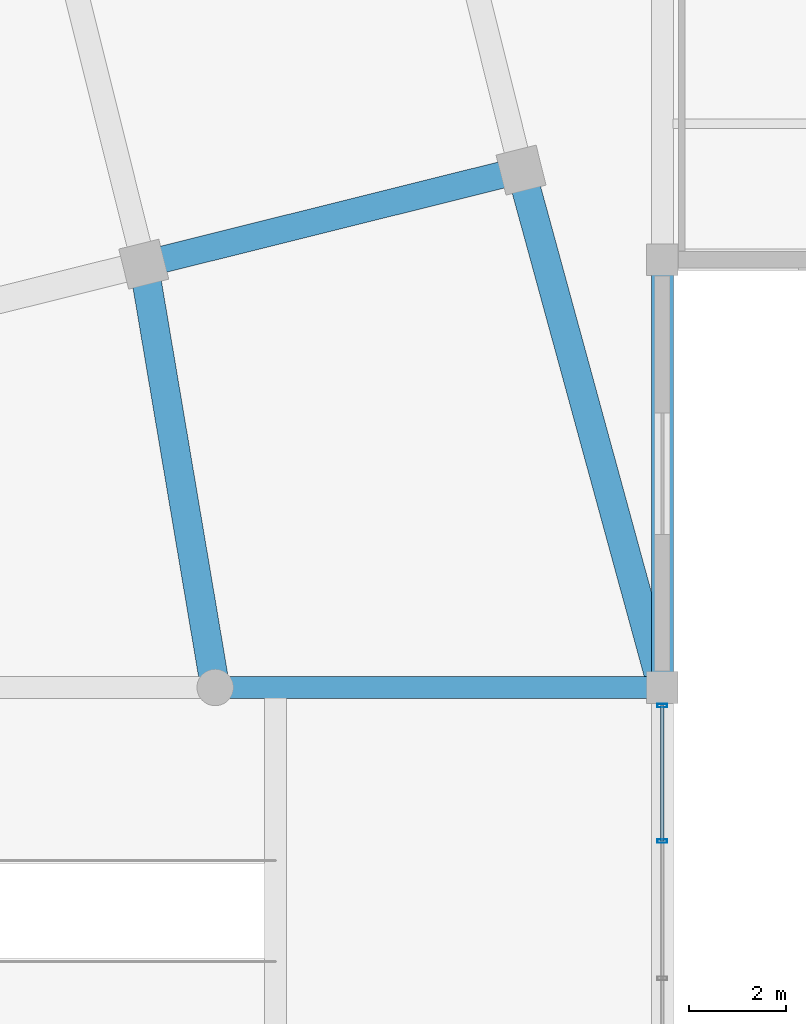
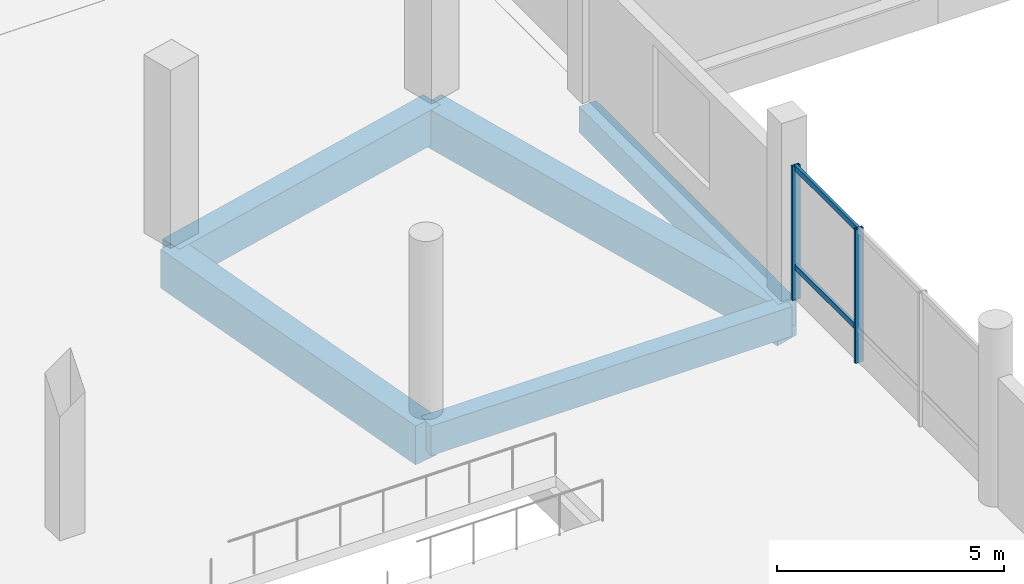
# One storey, part 23 of 71: 5 beams, 4 members, 1 element without a shape of its own.
"""IFC4 building model written with IfcOpenShell, lengths in metres."""

import ifcopenshell
import ifcopenshell.guid

model = None  # the IFC model being written
_history = None  # IfcOwnerHistory: only IFC2X3 demands one
_inside = {}  # id of a spatial element -> (the spatial element, [elements in it])
_under = {}  # id of a project, library or spatial element -> (it, [spatial elements below it])
_declared = {}  # id of a project -> (the project, [libraries it declares])
_typed = {}  # id of a type object -> (the type object, [elements of that type])
_made_of = {}  # id of a material, layer set ... -> (it, [elements and type objects made of it])


def new_model(schema):
    """Start an empty IFC model of exactly this schema.

    Asked for "IFC4X3", IfcOpenShell would pick the latest addendum, in which some entities
    have other attributes; the version numbers below select the first issue.
    IFC2X3 requires an IfcOwnerHistory on every rooted entity: one is made here for all.
    """
    global model, _history
    if schema == "IFC4X3":
        model = ifcopenshell.file(schema_version=(4, 3, 0, 0))
    else:
        model = ifcopenshell.file(schema=schema)
    _inside.clear()
    _under.clear()
    _declared.clear()
    _typed.clear()
    _made_of.clear()
    _history = None
    if model.schema == "IFC2X3":
        org = make("IfcOrganization", Name="unknown")
        user = make(
            "IfcPersonAndOrganization",
            ThePerson=make("IfcPerson", FamilyName="unknown"),
            TheOrganization=org,
        )
        app = make(
            "IfcApplication",
            ApplicationDeveloper=org,
            Version="unknown",
            ApplicationFullName="unknown",
            ApplicationIdentifier="unknown",
        )
        _history = make(
            "IfcOwnerHistory",
            OwningUser=user,
            OwningApplication=app,
            ChangeAction="ADDED",
            CreationDate=0,
        )
    return model


def make(cls, **values):
    """One entity of the class cls with the attributes given. An attribute that is None is left unset."""
    return model.create_entity(
        cls, **{name: value for name, value in values.items() if value is not None}
    )


def rooted(cls, **values):
    """An entity with a GlobalId (a new one), such as an element, a storey or a relation."""
    return make(cls, GlobalId=ifcopenshell.guid.new(), OwnerHistory=_history, **values)


def si_unit(unit_type, name, prefix=None):
    """IfcSIUnit, for example si_unit("LENGTHUNIT", "METRE", prefix="MILLI")."""
    return make("IfcSIUnit", UnitType=unit_type, Prefix=prefix, Name=name)


def assignment(units):
    """IfcUnitAssignment: the units of a project."""
    return None if units is None else make("IfcUnitAssignment", Units=units)


def point(xyz):
    """IfcCartesianPoint."""
    return None if xyz is None else make("IfcCartesianPoint", Coordinates=xyz)


def direction(xyz):
    """IfcDirection."""
    return None if xyz is None else make("IfcDirection", DirectionRatios=xyz)


def frame(location, z_axis=None, x_axis=None):
    """IfcAxis2Placement3D, a coordinate frame: its origin and axes. An axis left out is left unset."""
    return make(
        "IfcAxis2Placement3D",
        Location=point(location),
        Axis=direction(z_axis),
        RefDirection=direction(x_axis),
    )


def frame_2d(location, x_axis=None):
    """IfcAxis2Placement2D, a coordinate frame in the plane: its origin and x axis."""
    return make(
        "IfcAxis2Placement2D", Location=point(location), RefDirection=direction(x_axis)
    )


def origin():
    """The frame at (0, 0, 0) with its axes left unset."""
    return frame((0.0, 0.0, 0.0))


def origin_2d():
    """The frame at (0, 0) in the plane with its x axis left unset."""
    return frame_2d((0.0, 0.0))


def place(relative_to, where):
    """IfcLocalPlacement: puts the frame where relative to a parent placement (None: the world)."""
    return make(
        "IfcLocalPlacement", PlacementRelTo=relative_to, RelativePlacement=where
    )


def context(
    kind, dimensions, precision=None, world=None, true_north=None, identifier=None
):
    """IfcGeometricRepresentationContext, for example the 3D "Model" context."""
    return make(
        "IfcGeometricRepresentationContext",
        ContextIdentifier=identifier,
        ContextType=kind,
        CoordinateSpaceDimension=dimensions,
        Precision=precision,
        WorldCoordinateSystem=world,
        TrueNorth=true_north,
    )


def subcontext(parent, identifier, kind, view, scale=None):
    """IfcGeometricRepresentationSubContext, for example "Body" below "Model"."""
    return make(
        "IfcGeometricRepresentationSubContext",
        ContextIdentifier=identifier,
        ContextType=kind,
        ParentContext=parent,
        TargetScale=scale,
        TargetView=view,
    )


def project(units=None, contexts=None):
    """IfcProject with its units and contexts."""
    return rooted(
        "IfcProject",
        Name="project",
        RepresentationContexts=contexts,
        UnitsInContext=assignment(units),
    )


def spatial(cls, under=None, at=None, **own):
    """A site, building, storey or space (cls), placed at a placement, below another one or the project."""
    s = rooted(cls, ObjectPlacement=at, **own)
    if under is not None:
        _under.setdefault(under.id(), (under, []))[1].append(s)
    return s


def profile(cls, at=None, kind="AREA", **sizes):
    """A parametric profile (cls). Its sizes go by their IFC names, for example OverallWidth=200.0."""
    return make(cls, ProfileType=kind, Position=at, **sizes)


def rectangle(**sizes):
    """IfcRectangleProfileDef."""
    return profile("IfcRectangleProfileDef", **sizes)


def hollow_rectangle(**sizes):
    """IfcRectangleHollowProfileDef."""
    return profile("IfcRectangleHollowProfileDef", **sizes)


def extrude(swept, where, along, depth):
    """IfcExtrudedAreaSolid: the profile swept, set in the frame where, extruded along a direction by depth."""
    return make(
        "IfcExtrudedAreaSolid",
        SweptArea=swept,
        Position=where,
        ExtrudedDirection=direction(along),
        Depth=depth,
    )


def shape(context_of_items, identifier, shape_type, items):
    """IfcShapeRepresentation: the items that make up one representation, for example the "Body"."""
    return make(
        "IfcShapeRepresentation",
        ContextOfItems=context_of_items,
        RepresentationIdentifier=identifier,
        RepresentationType=shape_type,
        Items=items,
    )


def material(Name=None, Category=None):
    """IfcMaterial."""
    return make("IfcMaterial", Name=Name, Category=Category)


def layer(
    of_material, thickness, ventilated=None, Name=None, Category=None, Priority=None
):
    """IfcMaterialLayer: one layer of a wall or slab, of a material (None: an air gap)."""
    return make(
        "IfcMaterialLayer",
        Material=of_material,
        LayerThickness=thickness,
        IsVentilated=ventilated,
        Name=Name,
        Category=Category,
        Priority=Priority,
    )


def layer_set(layers, Name=None):
    """IfcMaterialLayerSet."""
    return make("IfcMaterialLayerSet", MaterialLayers=layers, LayerSetName=Name)


def material_profile(
    of_material, cross_section, Name=None, Category=None, Priority=None
):
    """IfcMaterialProfile: a cross section and its material."""
    return make(
        "IfcMaterialProfile",
        Name=Name,
        Material=of_material,
        Profile=cross_section,
        Priority=Priority,
        Category=Category,
    )


def profile_set(profiles, Name=None, composite=None):
    """IfcMaterialProfileSet."""
    return make(
        "IfcMaterialProfileSet",
        Name=Name,
        MaterialProfiles=profiles,
        CompositeProfile=composite,
    )


def made_of(thing, what):
    """Note that an element or type object is made of a material, layer set ...; save() writes the relation."""
    if what is not None:
        _made_of.setdefault(what.id(), (what, []))[1].append(thing)
    return thing


def type_object(cls, material=None, **own):
    """A type object (cls), such as IfcWallType, which elements share."""
    return made_of(rooted(cls, **own), material)


def element(
    cls,
    number,
    at=None,
    inside=None,
    cuts=None,
    type_object=None,
    material=None,
    context=None,
    identifier="Body",
    shape_type=None,
    held_by="IfcProductDefinitionShape",
    body=None,
    shapes=None,
    **own,
):
    """One element of the class cls, such as IfcWall. Its Tag is "e" and its number.

    at: its placement. inside: the storey or other place that contains it. cuts: it is an
    opening in that element (IfcRelVoidsElement). A single representation is given by context,
    identifier, shape_type and body (its items); several are given by shapes. held_by: the class
    of the entity that holds the representations. save() writes the other relations.
    """
    e = rooted(cls, Tag="e%d" % number, ObjectPlacement=at, **own)
    if body is not None:
        shapes = [shape(context, identifier, shape_type, body)]
    if shapes is not None:
        e.Representation = make(held_by, Representations=shapes)
    if inside is not None:
        _inside.setdefault(inside.id(), (inside, []))[1].append(e)
    if cuts is not None:
        rooted(
            "IfcRelVoidsElement", RelatingBuildingElement=cuts, RelatedOpeningElement=e
        )
    if type_object is not None:
        _typed.setdefault(type_object.id(), (type_object, []))[1].append(e)
    return made_of(e, material)


def aggregate(whole, parts):
    """IfcRelAggregates: a whole, such as a stair, and the parts it consists of."""
    return rooted("IfcRelAggregates", RelatingObject=whole, RelatedObjects=parts)


def save(model, path):
    """Write the relations noted so far, then the file.

    IfcRelAggregates (storeys below a building ...), IfcRelContainedInSpatialStructure (elements
    in a storey), IfcRelDefinesByType, IfcRelAssociatesMaterial and IfcRelDeclares: one each for
    every whole, place, type object, material and project.
    """
    for whole, parts in _under.values():
        aggregate(whole, parts)
    for where, things in _inside.values():
        rooted(
            "IfcRelContainedInSpatialStructure",
            RelatedElements=things,
            RelatingStructure=where,
        )
    for kind, things in _typed.values():
        rooted("IfcRelDefinesByType", RelatedObjects=things, RelatingType=kind)
    for what, things in _made_of.values():
        rooted("IfcRelAssociatesMaterial", RelatedObjects=things, RelatingMaterial=what)
    for by, libraries in _declared.values():
        rooted("IfcRelDeclares", RelatingContext=by, RelatedDefinitions=libraries)
    model.write(path)


model = new_model("IFC4")

# Units and contexts
model_context = context("Model", 3, precision=1e-05, world=origin(), true_north=direction((0.0, 1.0)))
body_context = subcontext(model_context, "Body", "Model", "MODEL_VIEW")
ifc_project = project(units=[si_unit("LENGTHUNIT", "METRE"), si_unit("AREAUNIT", "SQUARE_METRE"), si_unit("VOLUMEUNIT", "CUBIC_METRE"), si_unit("PLANEANGLEUNIT", "RADIAN"), si_unit("MASSUNIT", "GRAM", prefix="KILO")], contexts=[model_context])

# Site, building, storey
site_placement = place(None, origin())
site = spatial("IfcSite", under=ifc_project, at=site_placement, CompositionType="ELEMENT")
building_placement = place(site_placement, origin())
building = spatial("IfcBuilding", under=site, at=building_placement, Name="Meriwether Solvik Hall", CompositionType="ELEMENT")
storey_placement = place(building_placement, frame((0.0, 0.0, 5.10009765625)))
storey = spatial("IfcBuildingStorey", under=building, at=storey_placement, Name="L01", CompositionType="ELEMENT", Elevation=5.10009765625)

# Beams
ifc_material_1 = material(Name="Concrete C40/50", Category="concrete")
ifc_material_profile_1 = material_profile(ifc_material_1, rectangle(XDim=0.449951171875, YDim=0.699951171875, at=origin_2d()), Name="RCB-450X700")
ifc_profile_set_1 = profile_set([ifc_material_profile_1], Name="Concrete C40/50")
beam_type_1 = type_object("IfcBeamType", Name="BM-RC-450X700", PredefinedType="BEAM", material=ifc_profile_set_1)
beam_1_placement = place(storey_placement, frame((114.199951171875, 41.199951171875, -0.650146484375), z_axis=(0.0, 1.0, 0.0), x_axis=(-1.0, 0.0, 0.0)))
element("IfcBeam", 1, at=beam_1_placement, inside=storey, type_object=beam_type_1, Name="Podium Girder 13:E-F (L01)", PredefinedType="BEAM", context=body_context, shape_type="SweptSolid", body=[
    extrude(rectangle(XDim=0.449951171875, YDim=0.699951171875, at=origin_2d()), origin(), (0.0, 0.0, 1.0), 8.800048828125),
])
ifc_material_2 = material(Name="Concrete C40/50", Category="concrete")
ifc_material_profile_2 = material_profile(ifc_material_2, rectangle(XDim=0.449951171875, YDim=0.800048828125, at=origin_2d()), Name="RCB-450X800")
ifc_profile_set_2 = profile_set([ifc_material_profile_2], Name="Concrete C40/50")
beam_type_2 = type_object("IfcBeamType", Name="BM-RC-450X800", PredefinedType="BEAM", material=ifc_profile_set_2)
beam_2_placement = place(storey_placement, frame((105.0, 41.199951171875, -0.7001953125), z_axis=(1.0, 0.0, 0.0), x_axis=(0.0, 1.0, 0.0)))
element("IfcBeam", 2, at=beam_2_placement, inside=storey, type_object=beam_type_2, Name="Podium Girder E:12-13 (L01)", PredefinedType="BEAM", context=body_context, shape_type="SweptSolid", body=[
    extrude(rectangle(XDim=0.449951171875, YDim=0.800048828125, at=origin_2d()), origin(), (0.0, 0.0, 1.0), 9.199951171875),
])
ifc_material_3 = material(Name="Concrete C40/50", Category="concrete")
ifc_material_profile_3 = material_profile(ifc_material_3, rectangle(XDim=0.550048828125, YDim=0.949951171875, at=origin_2d()), Name="RCB-550X950")
ifc_profile_set_3 = profile_set([ifc_material_profile_3], Name="Concrete C40/50")
beam_type_3 = type_object("IfcBeamType", Name="BM-RC-550X950", PredefinedType="BEAM", material=ifc_profile_set_3)
beam_3_placement = place(storey_placement, frame((103.53076171875, 49.9091796875, -0.775146484375), z_axis=(0.970296689949, 0.241918030485, 0.0), x_axis=(-0.241918030485, 0.970296689949, 0.0)))
element("IfcBeam", 3, at=beam_3_placement, inside=storey, type_object=beam_type_3, Name="Tower Girder TA:T6-T7 (L01)", PredefinedType="BEAM", context=body_context, shape_type="SweptSolid", body=[
    extrude(rectangle(XDim=0.550048828125, YDim=0.949951171875, at=origin_2d()), origin(), (0.0, 0.0, 1.0), 7.999755859375),
])
ifc_material_4 = material(Name="Concrete C40/50", Category="concrete")
ifc_material_profile_4 = material_profile(ifc_material_4, rectangle(XDim=0.60009765625, YDim=1.050048828125, at=origin_2d()), Name="RCB-600X1050")
ifc_profile_set_4 = profile_set([ifc_material_profile_4], Name="Concrete C40/50")
beam_type_4 = type_object("IfcBeamType", Name="BM-RC-600X1050", PredefinedType="BEAM", material=ifc_profile_set_4)
beam_4_placement = place(storey_placement, frame((103.53076171875, 49.9091796875, -0.8251953125), z_axis=(0.166348535765, -0.986067018335, 0.0), x_axis=(0.986067018335, 0.166348535765, 0.0)))
element("IfcBeam", 4, at=beam_4_placement, inside=storey, type_object=beam_type_4, Name="Diaphragm Collector Girder T6/TA-12/E (L01)", PredefinedType="BEAM", context=body_context, shape_type="SweptSolid", body=[
    extrude(rectangle(XDim=0.60009765625, YDim=1.050048828125, at=origin_2d()), origin(), (0.0, 0.0, 1.0), 8.832275390625),
])
beam_5_placement = place(storey_placement, frame((111.29296875, 51.844482421875, -0.8251953125), z_axis=(0.263448762729, -0.964673390022, 0.0), x_axis=(0.964673390022, 0.263448762729, 0.0)))
element("IfcBeam", 5, at=beam_5_placement, inside=storey, type_object=beam_type_4, Name="Diaphragm Collector Girder T7/TA-13/E (L01)", PredefinedType="BEAM", context=body_context, shape_type="SweptSolid", body=[
    extrude(rectangle(XDim=0.60009765625, YDim=1.050048828125, at=origin_2d()), origin(), (0.0, 0.0, 1.0), 11.034423828125),
])

# Curtain wall, members
ifc_material_5 = material(Name="Thermally Broken Anodised Aluminium 6063-T6 and Low-E Glass", Category="aluminium")
ifc_layer = layer(ifc_material_5, 0.179931640625)
ifc_layer_set = layer_set([ifc_layer], Name="Thermally Broken Anodised Aluminium 6063-T6 and Low-E Glass")
curtain_wall_type = type_object("IfcCurtainWallType", Name="CW-SF-POD-B", PredefinedType="USERDEFINED", material=ifc_layer_set)
curtain_wall_placement = place(storey_placement, origin())
curtain_wall = element("IfcCurtainWall", 6, at=curtain_wall_placement, inside=storey, type_object=curtain_wall_type, Name="Curtain Wall wing_Y13_4_52 (L01)", ObjectType="STICK STOREFRONT GLAZING", PredefinedType="USERDEFINED")
ifc_material_6 = material(Name="Anodised Aluminium 6063-T6", Category="aluminium")
ifc_material_profile_5 = material_profile(ifc_material_6, hollow_rectangle(XDim=0.070068359375, YDim=0.199951171875, WallThickness=0.0048828125, at=origin_2d()), Name="CWM-70X200")
ifc_profile_set_5 = profile_set([ifc_material_profile_5], Name="Anodised Aluminium 6063-T6")
member_type_1 = type_object("IfcMemberType", Name="CW-MUL-70X200", PredefinedType="MULLION", material=ifc_profile_set_5)
member_1_placement = place(storey_placement, frame((114.199951171875, 40.824951171875, 0.0), z_axis=(0.0, 0.0, 1.0), x_axis=(0.0, -1.0, 0.0)))
member_1 = element("IfcMember", 7, at=member_1_placement, type_object=member_type_1, Name="Curtain Wall Mullion 1", PredefinedType="MULLION", context=body_context, shape_type="SweptSolid", body=[
    extrude(hollow_rectangle(XDim=0.070068359375, YDim=0.199951171875, WallThickness=0.0048828125, at=origin_2d()), origin(), (0.0, 0.0, 1.0), 3.60986328125),
])
member_2_placement = place(storey_placement, frame((114.199951171875, 38.03759765625, 0.0), z_axis=(0.0, 0.0, 1.0), x_axis=(0.0, -1.0, 0.0)))
member_2 = element("IfcMember", 8, at=member_2_placement, type_object=member_type_1, Name="Curtain Wall Mullion 2", PredefinedType="MULLION", context=body_context, shape_type="SweptSolid", body=[
    extrude(hollow_rectangle(XDim=0.070068359375, YDim=0.199951171875, WallThickness=0.0048828125, at=origin_2d()), origin(), (0.0, 0.0, 1.0), 3.60986328125),
])
ifc_material_7 = material(Name="Anodised Aluminium 6063-T6", Category="aluminium")
ifc_material_profile_6 = material_profile(ifc_material_7, hollow_rectangle(XDim=0.070068359375, YDim=0.14990234375, WallThickness=0.0048828125, at=origin_2d()), Name="CWT-70X150")
ifc_profile_set_6 = profile_set([ifc_material_profile_6], Name="Anodised Aluminium 6063-T6")
member_type_2 = type_object("IfcMemberType", Name="CW-TRN-70X150", PredefinedType="USERDEFINED", material=ifc_profile_set_6)
member_3_placement = place(storey_placement, frame((114.199951171875, 40.824951171875, 0.8798828125), z_axis=(0.0, -1.0, 0.0), x_axis=(1.0, 0.0, 0.0)))
member_3 = element("IfcMember", 9, at=member_3_placement, type_object=member_type_2, Name="Curtain Wall Transom 1-sill", ObjectType="TRANSOM", PredefinedType="USERDEFINED", context=body_context, shape_type="SweptSolid", body=[
    extrude(hollow_rectangle(XDim=0.070068359375, YDim=0.14990234375, WallThickness=0.0048828125, at=origin_2d()), origin(), (0.0, 0.0, 1.0), 2.787353515625),
])
member_4_placement = place(storey_placement, frame((114.199951171875, 40.824951171875, 3.5498046875), z_axis=(0.0, -1.0, 0.0), x_axis=(1.0, 0.0, 0.0)))
member_4 = element("IfcMember", 10, at=member_4_placement, type_object=member_type_2, Name="Curtain Wall Transom 1-head", ObjectType="TRANSOM", PredefinedType="USERDEFINED", context=body_context, shape_type="SweptSolid", body=[
    extrude(hollow_rectangle(XDim=0.070068359375, YDim=0.14990234375, WallThickness=0.0048828125, at=origin_2d()), origin(), (0.0, 0.0, 1.0), 2.787353515625),
])
aggregate(curtain_wall, [member_1, member_2, member_3, member_4])

save(model, "model.ifc")
